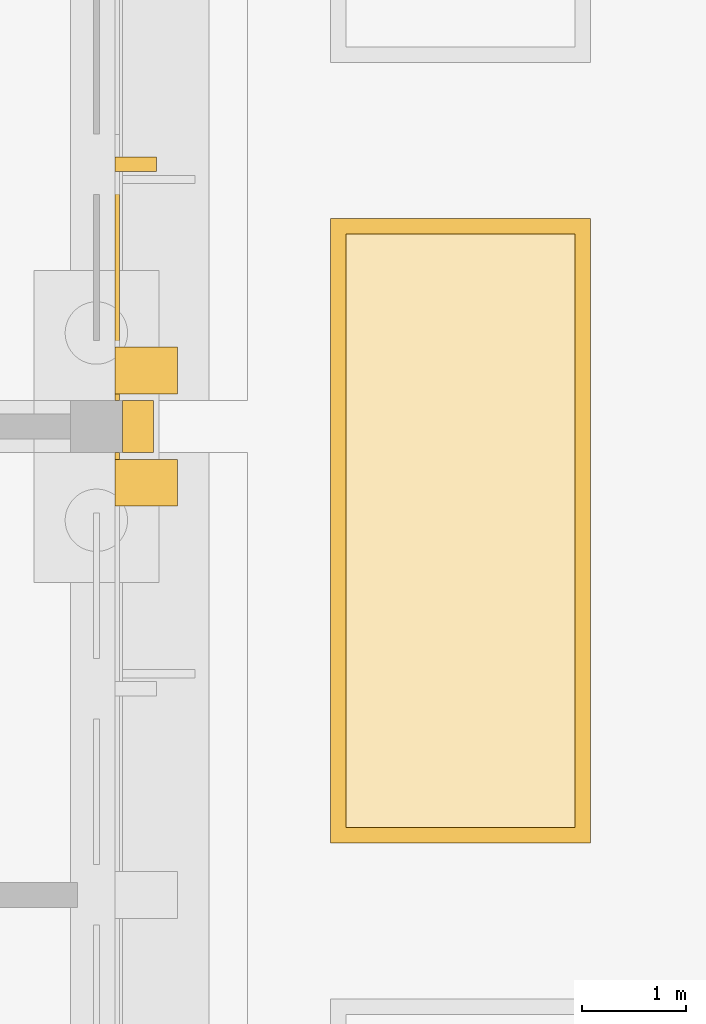
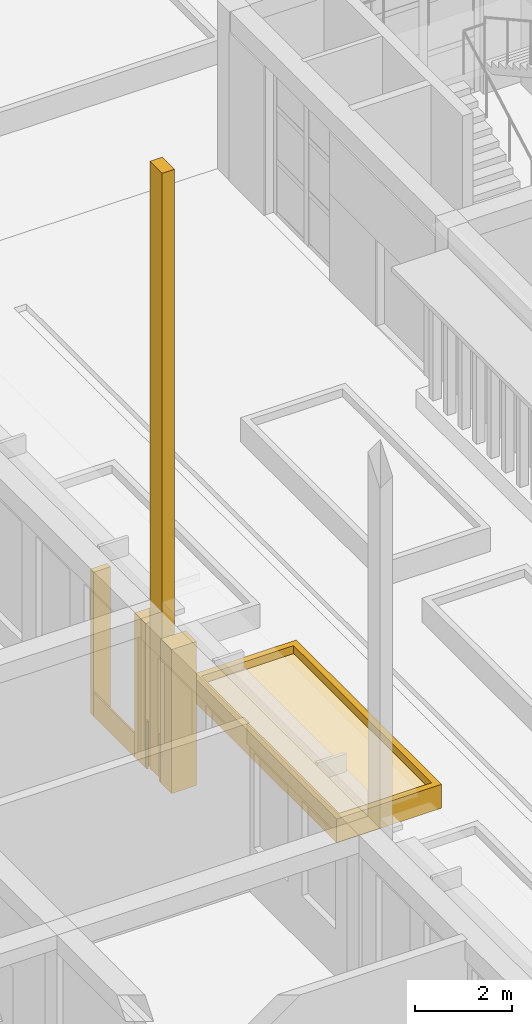
# One storey, part 110 of 161: 9 coverings.
"""IFC4 building model written with IfcOpenShell, lengths in metres."""

from ifc_helpers import new_model, si_unit, direction, frame, origin, origin_2d, place, context, subcontext, project, spatial, polyline, rectangle, outline, extrude, material, layer, layer_set, type_object, element, save


model = new_model("IFC4")

# Units and contexts
model_context = context("Model", 3, precision=1e-05, world=origin(), true_north=direction((0.0, 1.0)))
body_context = subcontext(model_context, "Body", "Model", "MODEL_VIEW")
ifc_project = project(units=[si_unit("LENGTHUNIT", "METRE"), si_unit("AREAUNIT", "SQUARE_METRE"), si_unit("VOLUMEUNIT", "CUBIC_METRE"), si_unit("PLANEANGLEUNIT", "RADIAN"), si_unit("MASSUNIT", "GRAM", prefix="KILO")], contexts=[model_context])

# Site, building, storey
site_placement = place(None, origin())
site = spatial("IfcSite", under=ifc_project, at=site_placement, CompositionType="ELEMENT")
building_placement = place(site_placement, origin())
building = spatial("IfcBuilding", under=site, at=building_placement, Name="Elbe Cascade School", CompositionType="ELEMENT")
storey_placement = place(building_placement, origin())
storey = spatial("IfcBuildingStorey", under=building, at=storey_placement, Name="L00", CompositionType="ELEMENT", Elevation=0.0)

# Coverings
ifc_material_1 = material(Name="Precast concrete C40/50", Category="concrete")
covering_type_1 = type_object("IfcCoveringType", Name="Bars envelope Precast concrete fin, 140 wide, 400 deep", PredefinedType="CLADDING", material=ifc_material_1)
covering_1_placement = place(storey_placement, frame((116.080078125, 44.52001953125, 0.0), z_axis=(0.0, 0.0, 1.0), x_axis=(0.0, 1.0, 0.0)))
element("IfcCovering", 1, at=covering_1_placement, inside=storey, type_object=covering_type_1, Name="Fin CV56 B.L00.e5.4", PredefinedType="CLADDING", context=body_context, shape_type="SweptSolid", body=[
    extrude(rectangle(XDim=0.139892578125, YDim=0.39990234375, at=origin_2d()), origin(), (0.0, 0.0, 1.0), 3.6298828125),
])
ifc_material_2 = material(Name="Precast concrete C40/50", Category="concrete")
covering_type_2 = type_object("IfcCoveringType", Name="Bars envelope Precast concrete fin, 450 wide, 600 deep", PredefinedType="CLADDING", material=ifc_material_2)
for number, where, z_axis, x_axis, name in (
    (2, (116.179931640625, 41.4599609375, 0.0), (0.0, 0.0, 1.0), (0.0, 1.0, 0.0), "Fin CV55 B.L00.e4.3"),
    (3, (116.179931640625, 42.5400390625, 0.0), (0.0, 0.0, 1.0), (0.0, 1.0, 0.0), "Fin CV55 B.L00.e5.1"),
):
    element("IfcCovering", number, at=place(storey_placement, frame(where, z_axis=z_axis, x_axis=x_axis)), inside=storey, type_object=covering_type_2, Name=name, PredefinedType="CLADDING", context=body_context, shape_type="SweptSolid", body=[
        extrude(rectangle(XDim=0.449951171875, YDim=0.60009765625, at=origin_2d()), origin(), (0.0, 0.0, 1.0), 3.6298828125),
    ])
ifc_material_3 = material(Name="Sandstone - red", Category="masonry")
ifc_layer_1 = layer(ifc_material_3, 0.0400390625)
ifc_layer_set_1 = layer_set([ifc_layer_1], Name="Sandstone - red")
covering_type_3 = type_object("IfcCoveringType", Name="Bars envelope Sandstone cladding, red, 40 mm", PredefinedType="CLADDING", material=ifc_layer_set_1)
for number, where, z_axis, x_axis, name in (
    (4, (115.89990234375, 41.717529296875, 0.0), (0.0, 0.0, 1.0), (0.0, 1.0, 0.0), "Sandstone cladding CV48 B.L00.e.4.6"),
    (5, (115.89990234375, 42.282470703125, 0.0), (0.0, 0.0, 1.0), (0.0, 1.0, 0.0), "Sandstone cladding CV48 B.L00.e.5.1"),
):
    element("IfcCovering", number, at=place(storey_placement, frame(where, z_axis=z_axis, x_axis=x_axis)), inside=storey, type_object=covering_type_3, Name=name, PredefinedType="CLADDING", context=body_context, shape_type="SweptSolid", body=[
        extrude(rectangle(XDim=0.06494140625, YDim=0.0400390625, at=origin_2d()), origin(), (0.0, 0.0, 1.0), 1.199951171875),
    ])
covering_2_placement = place(storey_placement, frame((115.89990234375, 43.607421875, 0.0), z_axis=(0.0, 0.0, 1.0), x_axis=(0.0, 1.0, 0.0)))
element("IfcCovering", 6, at=covering_2_placement, inside=storey, type_object=covering_type_3, Name="Sandstone cladding CV48 B.L00.e.5.2", PredefinedType="CLADDING", context=body_context, shape_type="SweptSolid", body=[
    extrude(rectangle(XDim=1.68505859375, YDim=0.0400390625, at=origin_2d()), origin(), (0.0, 0.0, 1.0), 0.60009765625),
])
ifc_material_4 = material(Name="Sandstone - red", Category="masonry")
covering_type_4 = type_object("IfcCoveringType", Name="Bars envelope Sandstone pilaster, 300 deep", PredefinedType="CLADDING", material=ifc_material_4)
covering_3_placement = place(storey_placement, frame((116.10009765625, 42.0, 0.0), z_axis=(0.0, 0.0, 1.0), x_axis=(0.0, 1.0, 0.0)))
element("IfcCovering", 7, at=covering_3_placement, inside=storey, type_object=covering_type_4, Name="Pilaster CV60 B.e4", PredefinedType="CLADDING", context=body_context, shape_type="SweptSolid", body=[
    extrude(rectangle(XDim=0.5, YDim=0.300048828125, at=origin_2d()), origin(), (0.0, 0.0, 1.0), 15.300048828125),
])
ifc_material_5 = material(Name="Planting - soil and shrubs", Category="soil")
ifc_layer_2 = layer(ifc_material_5, 0.39990234375)
ifc_layer_set_2 = layer_set([ifc_layer_2], Name="Planting - soil and shrubs")
covering_type_5 = type_object("IfcCoveringType", Name="Site planting bed 400", PredefinedType="USERDEFINED", material=ifc_layer_set_2)
covering_4_placement = place(storey_placement, origin())
element("IfcCovering", 8, at=covering_4_placement, inside=storey, type_object=covering_type_5, Name="Court B-C planting bed west 5", ObjectType="PLANTING BED", PredefinedType="USERDEFINED", context=body_context, shape_type="SweptSolid", body=[
    extrude(outline(polyline([(118.10009765625, 38.14990234375), (120.300048828125, 38.14990234375), (120.300048828125, 43.85009765625), (118.10009765625, 43.85009765625), (118.10009765625, 38.14990234375)])), origin(), (0.0, 0.0, 1.0), 0.39990234375),
])
ifc_material_6 = material(Name="Concrete C30/37 precast kerb", Category="concrete")
ifc_layer_3 = layer(ifc_material_6, 0.14990234375)
ifc_layer_set_3 = layer_set([ifc_layer_3], Name="Concrete C30/37 precast kerb")
covering_type_6 = type_object("IfcCoveringType", Name="Site planting bed kerb 150x600", PredefinedType="CLADDING", material=ifc_layer_set_3)
covering_5_placement = place(storey_placement, origin())
element("IfcCovering", 9, at=covering_5_placement, inside=storey, type_object=covering_type_6, Name="Court B-C planting bed kerb west 5", PredefinedType="CLADDING", context=body_context, shape_type="SweptSolid", body=[
    extrude(outline(polyline([(117.949951171875, 38.0), (120.449951171875, 38.0), (120.449951171875, 44.0), (117.949951171875, 44.0), (117.949951171875, 38.0)]), holes=[polyline([(118.10009765625, 38.14990234375), (120.300048828125, 38.14990234375), (120.300048828125, 43.85009765625), (118.10009765625, 43.85009765625), (118.10009765625, 38.14990234375)])]), origin(), (0.0, 0.0, 1.0), 0.60009765625),
])

save(model, "model.ifc")
